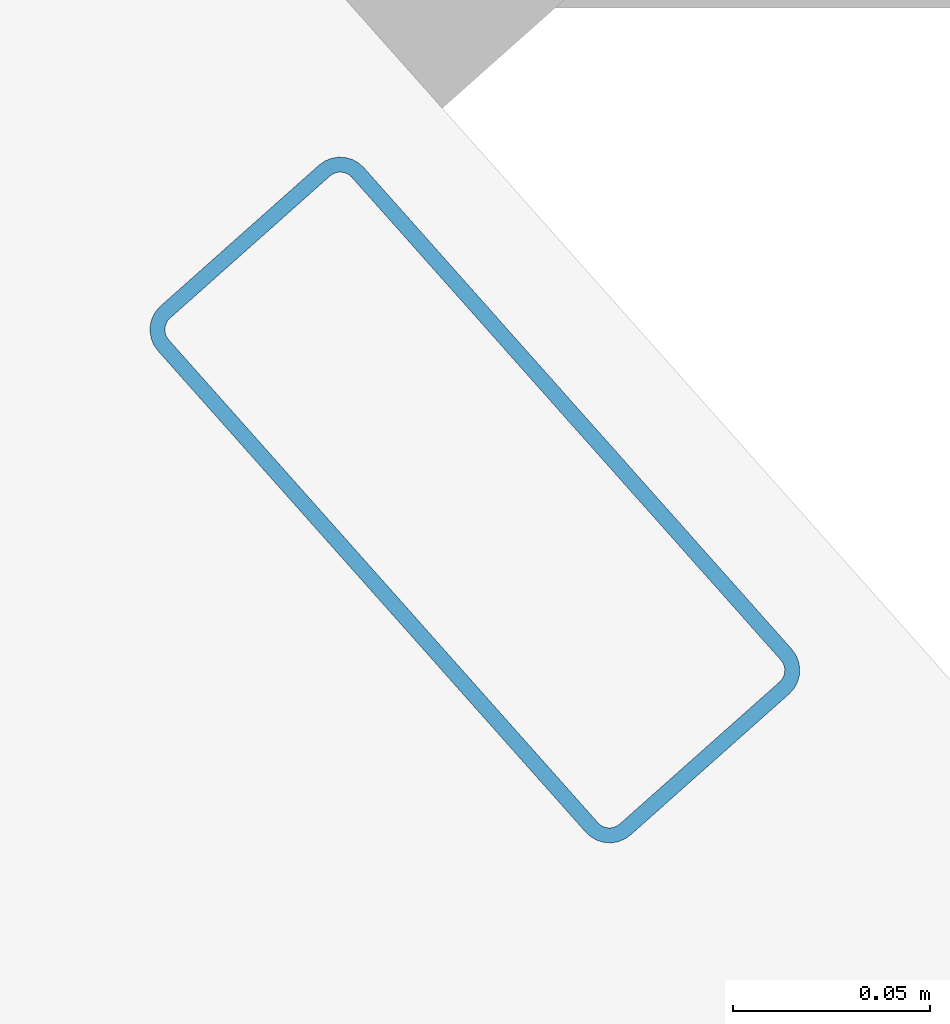
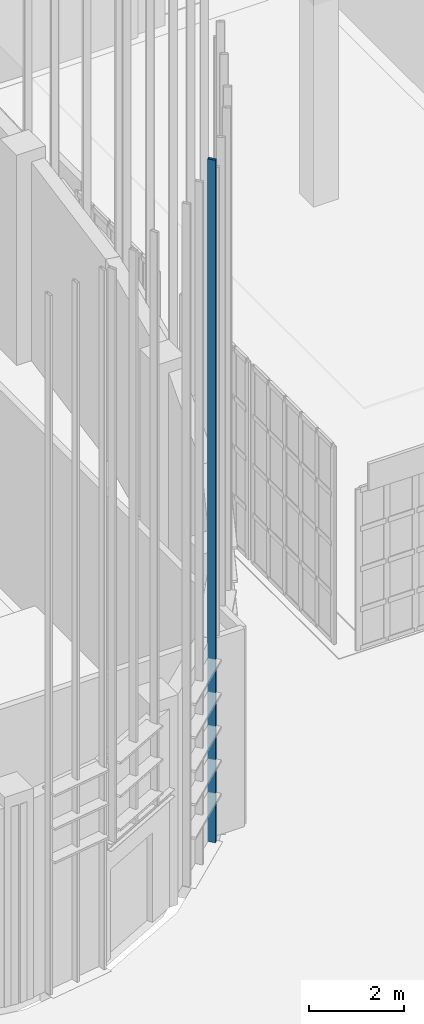
# One storey, part 261 of 372: 1 member.
"""IFC4 building model written with IfcOpenShell, lengths in metres."""

import ifcopenshell
import ifcopenshell.guid

model = None  # the IFC model being written
_history = None  # IfcOwnerHistory: only IFC2X3 demands one
_inside = {}  # id of a spatial element -> (the spatial element, [elements in it])
_under = {}  # id of a project, library or spatial element -> (it, [spatial elements below it])
_declared = {}  # id of a project -> (the project, [libraries it declares])
_typed = {}  # id of a type object -> (the type object, [elements of that type])
_made_of = {}  # id of a material, layer set ... -> (it, [elements and type objects made of it])


def new_model(schema):
    """Start an empty IFC model of exactly this schema.

    Asked for "IFC4X3", IfcOpenShell would pick the latest addendum, in which some entities
    have other attributes; the version numbers below select the first issue.
    IFC2X3 requires an IfcOwnerHistory on every rooted entity: one is made here for all.
    """
    global model, _history
    if schema == "IFC4X3":
        model = ifcopenshell.file(schema_version=(4, 3, 0, 0))
    else:
        model = ifcopenshell.file(schema=schema)
    _inside.clear()
    _under.clear()
    _declared.clear()
    _typed.clear()
    _made_of.clear()
    _history = None
    if model.schema == "IFC2X3":
        org = make("IfcOrganization", Name="unknown")
        user = make(
            "IfcPersonAndOrganization",
            ThePerson=make("IfcPerson", FamilyName="unknown"),
            TheOrganization=org,
        )
        app = make(
            "IfcApplication",
            ApplicationDeveloper=org,
            Version="unknown",
            ApplicationFullName="unknown",
            ApplicationIdentifier="unknown",
        )
        _history = make(
            "IfcOwnerHistory",
            OwningUser=user,
            OwningApplication=app,
            ChangeAction="ADDED",
            CreationDate=0,
        )
    return model


def make(cls, **values):
    """One entity of the class cls with the attributes given. An attribute that is None is left unset."""
    return model.create_entity(
        cls, **{name: value for name, value in values.items() if value is not None}
    )


def rooted(cls, **values):
    """An entity with a GlobalId (a new one), such as an element, a storey or a relation."""
    return make(cls, GlobalId=ifcopenshell.guid.new(), OwnerHistory=_history, **values)


def si_unit(unit_type, name, prefix=None):
    """IfcSIUnit, for example si_unit("LENGTHUNIT", "METRE", prefix="MILLI")."""
    return make("IfcSIUnit", UnitType=unit_type, Prefix=prefix, Name=name)


def assignment(units):
    """IfcUnitAssignment: the units of a project."""
    return None if units is None else make("IfcUnitAssignment", Units=units)


def point(xyz):
    """IfcCartesianPoint."""
    return None if xyz is None else make("IfcCartesianPoint", Coordinates=xyz)


def direction(xyz):
    """IfcDirection."""
    return None if xyz is None else make("IfcDirection", DirectionRatios=xyz)


def frame(location, z_axis=None, x_axis=None):
    """IfcAxis2Placement3D, a coordinate frame: its origin and axes. An axis left out is left unset."""
    return make(
        "IfcAxis2Placement3D",
        Location=point(location),
        Axis=direction(z_axis),
        RefDirection=direction(x_axis),
    )


def frame_2d(location, x_axis=None):
    """IfcAxis2Placement2D, a coordinate frame in the plane: its origin and x axis."""
    return make(
        "IfcAxis2Placement2D", Location=point(location), RefDirection=direction(x_axis)
    )


def origin():
    """The frame at (0, 0, 0) with its axes left unset."""
    return frame((0.0, 0.0, 0.0))


def origin_2d():
    """The frame at (0, 0) in the plane with its x axis left unset."""
    return frame_2d((0.0, 0.0))


def place(relative_to, where):
    """IfcLocalPlacement: puts the frame where relative to a parent placement (None: the world)."""
    return make(
        "IfcLocalPlacement", PlacementRelTo=relative_to, RelativePlacement=where
    )


def context(
    kind, dimensions, precision=None, world=None, true_north=None, identifier=None
):
    """IfcGeometricRepresentationContext, for example the 3D "Model" context."""
    return make(
        "IfcGeometricRepresentationContext",
        ContextIdentifier=identifier,
        ContextType=kind,
        CoordinateSpaceDimension=dimensions,
        Precision=precision,
        WorldCoordinateSystem=world,
        TrueNorth=true_north,
    )


def subcontext(parent, identifier, kind, view, scale=None):
    """IfcGeometricRepresentationSubContext, for example "Body" below "Model"."""
    return make(
        "IfcGeometricRepresentationSubContext",
        ContextIdentifier=identifier,
        ContextType=kind,
        ParentContext=parent,
        TargetScale=scale,
        TargetView=view,
    )


def project(units=None, contexts=None):
    """IfcProject with its units and contexts."""
    return rooted(
        "IfcProject",
        Name="project",
        RepresentationContexts=contexts,
        UnitsInContext=assignment(units),
    )


def spatial(cls, under=None, at=None, **own):
    """A site, building, storey or space (cls), placed at a placement, below another one or the project."""
    s = rooted(cls, ObjectPlacement=at, **own)
    if under is not None:
        _under.setdefault(under.id(), (under, []))[1].append(s)
    return s


def profile(cls, at=None, kind="AREA", **sizes):
    """A parametric profile (cls). Its sizes go by their IFC names, for example OverallWidth=200.0."""
    return make(cls, ProfileType=kind, Position=at, **sizes)


def hollow_rectangle(**sizes):
    """IfcRectangleHollowProfileDef."""
    return profile("IfcRectangleHollowProfileDef", **sizes)


def extrude(swept, where, along, depth):
    """IfcExtrudedAreaSolid: the profile swept, set in the frame where, extruded along a direction by depth."""
    return make(
        "IfcExtrudedAreaSolid",
        SweptArea=swept,
        Position=where,
        ExtrudedDirection=direction(along),
        Depth=depth,
    )


def shape(context_of_items, identifier, shape_type, items):
    """IfcShapeRepresentation: the items that make up one representation, for example the "Body"."""
    return make(
        "IfcShapeRepresentation",
        ContextOfItems=context_of_items,
        RepresentationIdentifier=identifier,
        RepresentationType=shape_type,
        Items=items,
    )


def material(Name=None, Category=None):
    """IfcMaterial."""
    return make("IfcMaterial", Name=Name, Category=Category)


def material_profile(
    of_material, cross_section, Name=None, Category=None, Priority=None
):
    """IfcMaterialProfile: a cross section and its material."""
    return make(
        "IfcMaterialProfile",
        Name=Name,
        Material=of_material,
        Profile=cross_section,
        Priority=Priority,
        Category=Category,
    )


def profile_set(profiles, Name=None, composite=None):
    """IfcMaterialProfileSet."""
    return make(
        "IfcMaterialProfileSet",
        Name=Name,
        MaterialProfiles=profiles,
        CompositeProfile=composite,
    )


def made_of(thing, what):
    """Note that an element or type object is made of a material, layer set ...; save() writes the relation."""
    if what is not None:
        _made_of.setdefault(what.id(), (what, []))[1].append(thing)
    return thing


def type_object(cls, material=None, **own):
    """A type object (cls), such as IfcWallType, which elements share."""
    return made_of(rooted(cls, **own), material)


def element(
    cls,
    number,
    at=None,
    inside=None,
    cuts=None,
    type_object=None,
    material=None,
    context=None,
    identifier="Body",
    shape_type=None,
    held_by="IfcProductDefinitionShape",
    body=None,
    shapes=None,
    **own,
):
    """One element of the class cls, such as IfcWall. Its Tag is "e" and its number.

    at: its placement. inside: the storey or other place that contains it. cuts: it is an
    opening in that element (IfcRelVoidsElement). A single representation is given by context,
    identifier, shape_type and body (its items); several are given by shapes. held_by: the class
    of the entity that holds the representations. save() writes the other relations.
    """
    e = rooted(cls, Tag="e%d" % number, ObjectPlacement=at, **own)
    if body is not None:
        shapes = [shape(context, identifier, shape_type, body)]
    if shapes is not None:
        e.Representation = make(held_by, Representations=shapes)
    if inside is not None:
        _inside.setdefault(inside.id(), (inside, []))[1].append(e)
    if cuts is not None:
        rooted(
            "IfcRelVoidsElement", RelatingBuildingElement=cuts, RelatedOpeningElement=e
        )
    if type_object is not None:
        _typed.setdefault(type_object.id(), (type_object, []))[1].append(e)
    return made_of(e, material)


def aggregate(whole, parts):
    """IfcRelAggregates: a whole, such as a stair, and the parts it consists of."""
    return rooted("IfcRelAggregates", RelatingObject=whole, RelatedObjects=parts)


def save(model, path):
    """Write the relations noted so far, then the file.

    IfcRelAggregates (storeys below a building ...), IfcRelContainedInSpatialStructure (elements
    in a storey), IfcRelDefinesByType, IfcRelAssociatesMaterial and IfcRelDeclares: one each for
    every whole, place, type object, material and project.
    """
    for whole, parts in _under.values():
        aggregate(whole, parts)
    for where, things in _inside.values():
        rooted(
            "IfcRelContainedInSpatialStructure",
            RelatedElements=things,
            RelatingStructure=where,
        )
    for kind, things in _typed.values():
        rooted("IfcRelDefinesByType", RelatedObjects=things, RelatingType=kind)
    for what, things in _made_of.values():
        rooted("IfcRelAssociatesMaterial", RelatedObjects=things, RelatingMaterial=what)
    for by, libraries in _declared.values():
        rooted("IfcRelDeclares", RelatingContext=by, RelatedDefinitions=libraries)
    model.write(path)


model = new_model("IFC4")

# Units and contexts
model_context = context("Model", 3, precision=1e-05, world=origin(), true_north=direction((0.0, 1.0)))
body_context = subcontext(model_context, "Body", "Model", "MODEL_VIEW")
ifc_project = project(units=[si_unit("LENGTHUNIT", "METRE"), si_unit("AREAUNIT", "SQUARE_METRE"), si_unit("VOLUMEUNIT", "CUBIC_METRE"), si_unit("PLANEANGLEUNIT", "RADIAN"), si_unit("MASSUNIT", "GRAM", prefix="KILO")], contexts=[model_context])

# Site, building, storey
site_placement = place(None, origin())
site = spatial("IfcSite", under=ifc_project, at=site_placement, CompositionType="ELEMENT")
building_placement = place(site_placement, origin())
building = spatial("IfcBuilding", under=site, at=building_placement, Name="Kaelora Sail Theatre", CompositionType="ELEMENT")
storey_placement = place(building_placement, origin())
storey = spatial("IfcBuildingStorey", under=building, at=storey_placement, Name="L00", CompositionType="ELEMENT", Elevation=0.0)

# Member
ifc_material = material(Name="Anodised aluminium 6063-T6", Category="aluminium")
ifc_material_profile = material_profile(ifc_material, hollow_rectangle(XDim=0.070068359375, YDim=0.179931640625, WallThickness=0.00390625, InnerFilletRadius=0.00390625, OuterFilletRadius=0.008056640625, at=origin_2d()), Name="ALU-MULL 70x180x4")
ifc_profile_set = profile_set([ifc_material_profile], Name="Anodised aluminium 6063-T6")
member_type = type_object("IfcMemberType", Name="ARC-MEM-PST-160", PredefinedType="POST", material=ifc_profile_set)
member_placement = place(storey_placement, frame((141.635009765625, 26.794921875, 0.0), z_axis=(0.0, 0.0, 1.0), x_axis=(-0.747450357056, -0.664317667789, 0.0)))
element("IfcMember", 1, at=member_placement, inside=storey, type_object=member_type, Name="Black-Box and Experimental Sail Wing solar louvre vertical support post C8-1", PredefinedType="POST", context=body_context, shape_type="SweptSolid", body=[
    extrude(hollow_rectangle(XDim=0.070068359375, YDim=0.179931640625, WallThickness=0.00390625, InnerFilletRadius=0.00390625, OuterFilletRadius=0.008056640625, at=origin_2d()), origin(), (0.0, 0.0, 1.0), 17.541015625),
])

save(model, "model.ifc")
